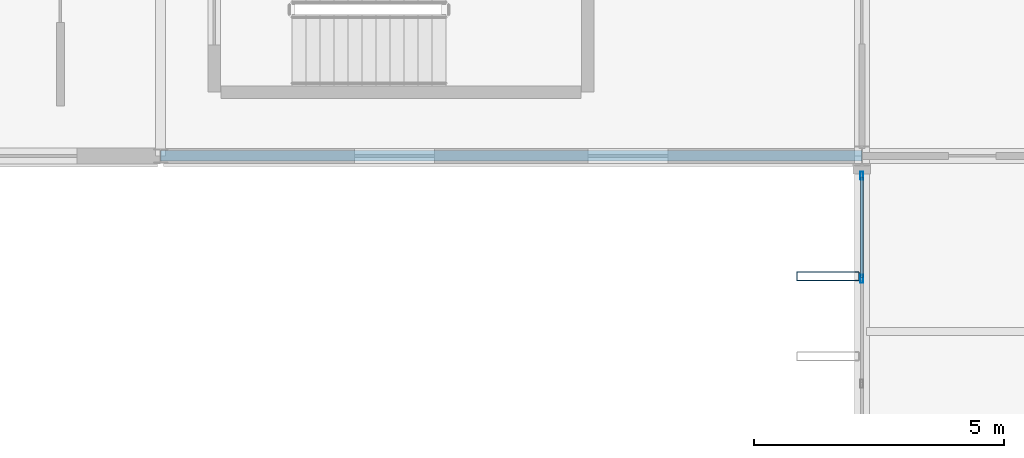
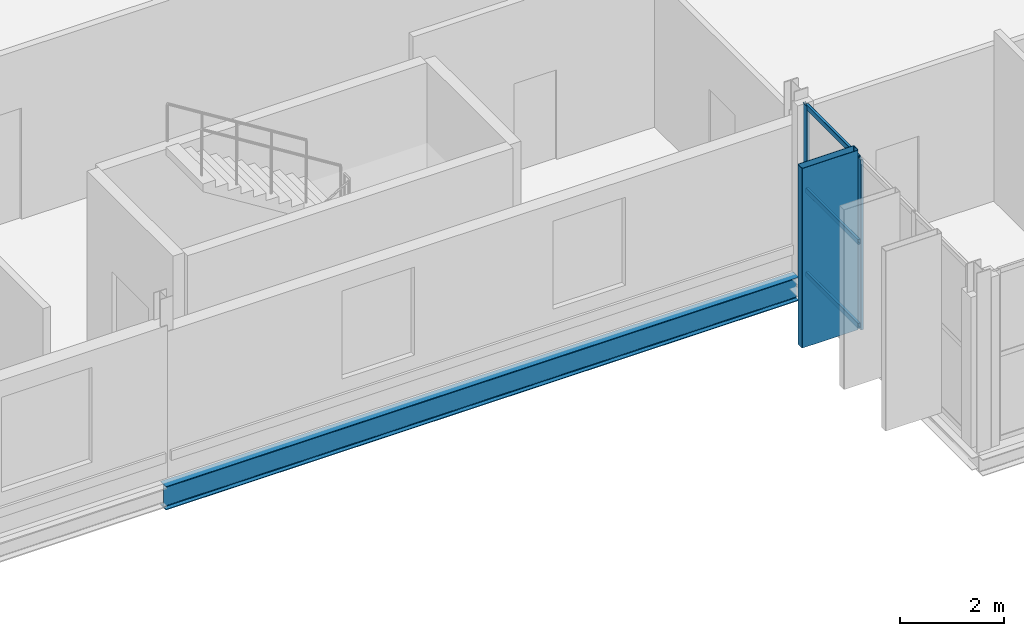
# One storey, part 19 of 101: 6 members, 1 beam, 1 element without a shape of its own.
"""IFC4 building model written with IfcOpenShell, lengths in metres."""

from ifc_helpers import new_model, si_unit, direction, frame, origin, origin_2d, place, context, subcontext, project, spatial, hollow_rectangle, i_section, extrude, material, layer, layer_set, material_profile, profile_set, type_object, element, aggregate, save


model = new_model("IFC4")

# Units and contexts
model_context = context("Model", 3, precision=1e-05, world=origin(), true_north=direction((0.0, 1.0)))
body_context = subcontext(model_context, "Body", "Model", "MODEL_VIEW")
ifc_project = project(units=[si_unit("LENGTHUNIT", "METRE"), si_unit("AREAUNIT", "SQUARE_METRE"), si_unit("VOLUMEUNIT", "CUBIC_METRE"), si_unit("PLANEANGLEUNIT", "RADIAN"), si_unit("MASSUNIT", "GRAM", prefix="KILO")], contexts=[model_context])

# Site, building, storey
site_placement = place(None, origin())
site = spatial("IfcSite", under=ifc_project, at=site_placement, CompositionType="ELEMENT")
building_placement = place(site_placement, origin())
building = spatial("IfcBuilding", under=site, at=building_placement, Name="Vekula Escarpment Museum", CompositionType="ELEMENT")
storey_placement = place(building_placement, frame((0.0, 0.0, 18.0)))
storey = spatial("IfcBuildingStorey", under=building, at=storey_placement, Name="L04", CompositionType="ELEMENT", Elevation=18.0)

# Beam
ifc_material_1 = material(Name="Steel S355", Category="steel")
ifc_material_profile_1 = material_profile(ifc_material_1, i_section(OverallWidth=0.2099609375, OverallDepth=0.550048828125, WebThickness=0.010986328125, FlangeThickness=0.01708984375, FilletRadius=0.02392578125, at=origin_2d()), Name="IPE 550")
ifc_profile_set_1 = profile_set([ifc_material_profile_1], Name="Steel S355")
beam_type = type_object("IfcBeamType", Name="BM-GIRD-IPE550", PredefinedType="BEAM", material=ifc_profile_set_1)
beam_placement = place(storey_placement, frame((56.0, 52.60009765625, -0.514892578125), z_axis=(1.0, 0.0, 0.0), x_axis=(0.0, 1.0, 0.0)))
element("IfcBeam", 1, at=beam_placement, inside=storey, type_object=beam_type, Name="Beam X L04 1694", PredefinedType="BEAM", context=body_context, shape_type="SweptSolid", body=[
    extrude(i_section(OverallWidth=0.2099609375, OverallDepth=0.550048828125, WebThickness=0.010986328125, FlangeThickness=0.01708984375, FilletRadius=0.02392578125, at=origin_2d()), origin(), (0.0, 0.0, 1.0), 14.0),
])

# Curtain wall, members
ifc_material_2 = material(Name="Aluminium thermally broken framing", Category="aluminium")
ifc_layer = layer(ifc_material_2, 0.159912109375)
ifc_layer_set = layer_set([ifc_layer], Name="Aluminium thermally broken framing")
curtain_wall_type = type_object("IfcCurtainWallType", Name="CW-SYS-01", PredefinedType="NOTDEFINED", material=ifc_layer_set)
curtain_wall_placement = place(storey_placement, origin())
curtain_wall = element("IfcCurtainWall", 2, at=curtain_wall_placement, inside=storey, type_object=curtain_wall_type, Name="Curtain Wall CW-L04-131", PredefinedType="NOTDEFINED")
ifc_material_3 = material(Name="Aluminium anodized mullion", Category="aluminium")
ifc_material_profile_2 = material_profile(ifc_material_3, hollow_rectangle(XDim=0.06005859375, YDim=0.159912109375, WallThickness=0.00390625, InnerFilletRadius=0.00390625, OuterFilletRadius=0.008056640625, at=origin_2d()), Name="ALU 160x60x4")
ifc_profile_set_2 = profile_set([ifc_material_profile_2], Name="Aluminium anodized mullion")
member_type_1 = type_object("IfcMemberType", Name="CW-MUL-160", PredefinedType="MULLION", material=ifc_profile_set_2)
member_1_placement = place(storey_placement, frame((70.0, 52.2099609375, 0.0), z_axis=(0.0, 0.0, 1.0), x_axis=(1.0, 0.0, 0.0)))
member_1 = element("IfcMember", 3, at=member_1_placement, type_object=member_type_1, Name="CW-01 mullion 1", PredefinedType="MULLION", context=body_context, shape_type="SweptSolid", body=[
    extrude(hollow_rectangle(XDim=0.06005859375, YDim=0.159912109375, WallThickness=0.00390625, InnerFilletRadius=0.00390625, OuterFilletRadius=0.008056640625, at=origin_2d()), origin(), (0.0, 0.0, 1.0), 3.97998046875),
])
member_2_placement = place(storey_placement, frame((70.0, 50.146728515625, 0.0), z_axis=(0.0, 0.0, 1.0), x_axis=(1.0, 0.0, 0.0)))
member_2 = element("IfcMember", 4, at=member_2_placement, type_object=member_type_1, Name="CW-01 mullion 2", PredefinedType="MULLION", context=body_context, shape_type="SweptSolid", body=[
    extrude(hollow_rectangle(XDim=0.06005859375, YDim=0.159912109375, WallThickness=0.00390625, InnerFilletRadius=0.00390625, OuterFilletRadius=0.008056640625, at=origin_2d()), origin(), (0.0, 0.0, 1.0), 3.97998046875),
])
ifc_material_4 = material(Name="Aluminium anodized transom", Category="aluminium")
ifc_material_profile_3 = material_profile(ifc_material_4, hollow_rectangle(XDim=0.06005859375, YDim=0.1201171875, WallThickness=0.00390625, InnerFilletRadius=0.00390625, OuterFilletRadius=0.008056640625, at=origin_2d()), Name="ALU 120x60x4")
ifc_profile_set_3 = profile_set([ifc_material_profile_3], Name="Aluminium anodized transom")
member_type_2 = type_object("IfcMemberType", Name="CW-TRN-120", PredefinedType="USERDEFINED", material=ifc_profile_set_3)
member_3_placement = place(storey_placement, frame((70.0, 52.179931640625, 0.030029296875), z_axis=(0.0, -1.0, 0.0), x_axis=(1.0, 0.0, 0.0)))
member_3 = element("IfcMember", 5, at=member_3_placement, type_object=member_type_2, Name="CW-01 transom 1.1", ObjectType="TRANSOM", PredefinedType="USERDEFINED", context=body_context, shape_type="SweptSolid", body=[
    extrude(hollow_rectangle(XDim=0.06005859375, YDim=0.1201171875, WallThickness=0.00390625, InnerFilletRadius=0.00390625, OuterFilletRadius=0.008056640625, at=origin_2d()), origin(), (0.0, 0.0, 1.0), 2.003173828125),
])
member_4_placement = place(storey_placement, frame((70.0, 52.179931640625, 1.989990234375), z_axis=(0.0, -1.0, 0.0), x_axis=(1.0, 0.0, 0.0)))
member_4 = element("IfcMember", 6, at=member_4_placement, type_object=member_type_2, Name="CW-01 transom 1.2", ObjectType="TRANSOM", PredefinedType="USERDEFINED", context=body_context, shape_type="SweptSolid", body=[
    extrude(hollow_rectangle(XDim=0.06005859375, YDim=0.1201171875, WallThickness=0.00390625, InnerFilletRadius=0.00390625, OuterFilletRadius=0.008056640625, at=origin_2d()), origin(), (0.0, 0.0, 1.0), 2.003173828125),
])
member_5_placement = place(storey_placement, frame((70.0, 52.179931640625, 3.949951171875), z_axis=(0.0, -1.0, 0.0), x_axis=(1.0, 0.0, 0.0)))
member_5 = element("IfcMember", 7, at=member_5_placement, type_object=member_type_2, Name="CW-01 transom 1.3", ObjectType="TRANSOM", PredefinedType="USERDEFINED", context=body_context, shape_type="SweptSolid", body=[
    extrude(hollow_rectangle(XDim=0.06005859375, YDim=0.1201171875, WallThickness=0.00390625, InnerFilletRadius=0.00390625, OuterFilletRadius=0.008056640625, at=origin_2d()), origin(), (0.0, 0.0, 1.0), 2.003173828125),
])
aggregate(curtain_wall, [member_1, member_2, member_3, member_4, member_5])

# Member
ifc_material_5 = material(Name="Steel S355 weathered bronze solar fin", Category="steel")
ifc_material_profile_4 = material_profile(ifc_material_5, hollow_rectangle(XDim=0.179931640625, YDim=1.25, WallThickness=0.010009765625, InnerFilletRadius=0.010009765625, OuterFilletRadius=0.02001953125, at=origin_2d()), Name="RHS 1250x180x10")
ifc_profile_set_4 = profile_set([ifc_material_profile_4], Name="Steel S355 weathered bronze solar fin")
member_type_3 = type_object("IfcMemberType", Name="MB-SOLAR-FIN", PredefinedType="USERDEFINED", material=ifc_profile_set_4)
member_6_placement = place(storey_placement, frame((69.320068359375, 50.199951171875, 0.0), z_axis=(0.0, 0.0, 1.0), x_axis=(0.0, 1.0, 0.0)))
element("IfcMember", 8, at=member_6_placement, inside=storey, type_object=member_type_3, Name="Great Hall Vertical Solar Fin 0294", ObjectType="SOLAR FIN", PredefinedType="USERDEFINED", context=body_context, shape_type="SweptSolid", body=[
    extrude(hollow_rectangle(XDim=0.179931640625, YDim=1.25, WallThickness=0.010009765625, InnerFilletRadius=0.010009765625, OuterFilletRadius=0.02001953125, at=origin_2d()), origin(), (0.0, 0.0, 1.0), 4.199951171875),
])

save(model, "model.ifc")
